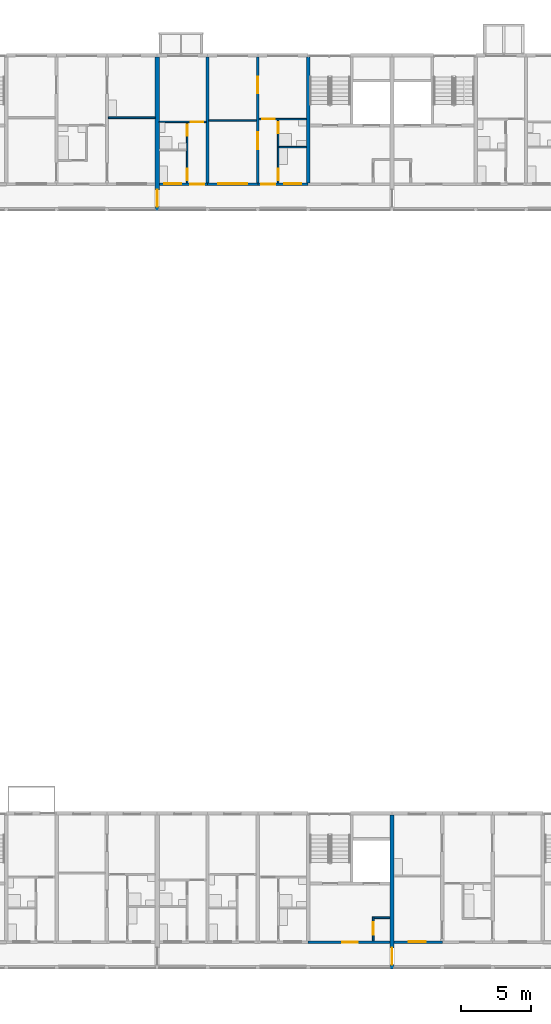
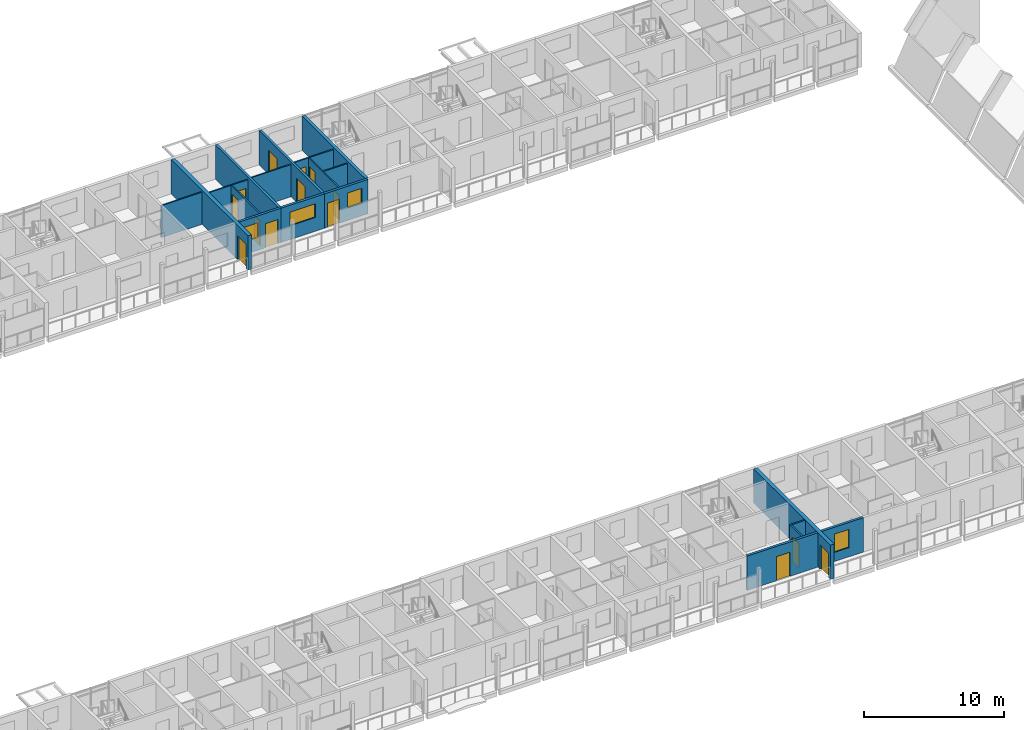
# One storey, part 38 of 100: 19 walls, 14 doors, 4 windows, 18 openings.
"""IFC4 building model written with IfcOpenShell, lengths in metres."""

import ifcopenshell
import ifcopenshell.guid

model = None  # the IFC model being written
_history = None  # IfcOwnerHistory: only IFC2X3 demands one
_inside = {}  # id of a spatial element -> (the spatial element, [elements in it])
_under = {}  # id of a project, library or spatial element -> (it, [spatial elements below it])
_declared = {}  # id of a project -> (the project, [libraries it declares])
_typed = {}  # id of a type object -> (the type object, [elements of that type])
_made_of = {}  # id of a material, layer set ... -> (it, [elements and type objects made of it])


def new_model(schema):
    """Start an empty IFC model of exactly this schema.

    Asked for "IFC4X3", IfcOpenShell would pick the latest addendum, in which some entities
    have other attributes; the version numbers below select the first issue.
    IFC2X3 requires an IfcOwnerHistory on every rooted entity: one is made here for all.
    """
    global model, _history
    if schema == "IFC4X3":
        model = ifcopenshell.file(schema_version=(4, 3, 0, 0))
    else:
        model = ifcopenshell.file(schema=schema)
    _inside.clear()
    _under.clear()
    _declared.clear()
    _typed.clear()
    _made_of.clear()
    _history = None
    if model.schema == "IFC2X3":
        org = make("IfcOrganization", Name="unknown")
        user = make(
            "IfcPersonAndOrganization",
            ThePerson=make("IfcPerson", FamilyName="unknown"),
            TheOrganization=org,
        )
        app = make(
            "IfcApplication",
            ApplicationDeveloper=org,
            Version="unknown",
            ApplicationFullName="unknown",
            ApplicationIdentifier="unknown",
        )
        _history = make(
            "IfcOwnerHistory",
            OwningUser=user,
            OwningApplication=app,
            ChangeAction="ADDED",
            CreationDate=0,
        )
    return model


def make(cls, **values):
    """One entity of the class cls with the attributes given. An attribute that is None is left unset."""
    return model.create_entity(
        cls, **{name: value for name, value in values.items() if value is not None}
    )


def rooted(cls, **values):
    """An entity with a GlobalId (a new one), such as an element, a storey or a relation."""
    return make(cls, GlobalId=ifcopenshell.guid.new(), OwnerHistory=_history, **values)


def si_unit(unit_type, name, prefix=None):
    """IfcSIUnit, for example si_unit("LENGTHUNIT", "METRE", prefix="MILLI")."""
    return make("IfcSIUnit", UnitType=unit_type, Prefix=prefix, Name=name)


def assignment(units):
    """IfcUnitAssignment: the units of a project."""
    return None if units is None else make("IfcUnitAssignment", Units=units)


def point(xyz):
    """IfcCartesianPoint."""
    return None if xyz is None else make("IfcCartesianPoint", Coordinates=xyz)


def direction(xyz):
    """IfcDirection."""
    return None if xyz is None else make("IfcDirection", DirectionRatios=xyz)


def frame(location, z_axis=None, x_axis=None):
    """IfcAxis2Placement3D, a coordinate frame: its origin and axes. An axis left out is left unset."""
    return make(
        "IfcAxis2Placement3D",
        Location=point(location),
        Axis=direction(z_axis),
        RefDirection=direction(x_axis),
    )


def frame_2d(location, x_axis=None):
    """IfcAxis2Placement2D, a coordinate frame in the plane: its origin and x axis."""
    return make(
        "IfcAxis2Placement2D", Location=point(location), RefDirection=direction(x_axis)
    )


def origin():
    """The frame at (0, 0, 0) with its axes left unset."""
    return frame((0.0, 0.0, 0.0))


def place(relative_to, where):
    """IfcLocalPlacement: puts the frame where relative to a parent placement (None: the world)."""
    return make(
        "IfcLocalPlacement", PlacementRelTo=relative_to, RelativePlacement=where
    )


def context(
    kind, dimensions, precision=None, world=None, true_north=None, identifier=None
):
    """IfcGeometricRepresentationContext, for example the 3D "Model" context."""
    return make(
        "IfcGeometricRepresentationContext",
        ContextIdentifier=identifier,
        ContextType=kind,
        CoordinateSpaceDimension=dimensions,
        Precision=precision,
        WorldCoordinateSystem=world,
        TrueNorth=true_north,
    )


def subcontext(parent, identifier, kind, view, scale=None):
    """IfcGeometricRepresentationSubContext, for example "Body" below "Model"."""
    return make(
        "IfcGeometricRepresentationSubContext",
        ContextIdentifier=identifier,
        ContextType=kind,
        ParentContext=parent,
        TargetScale=scale,
        TargetView=view,
    )


def project(units=None, contexts=None):
    """IfcProject with its units and contexts."""
    return rooted(
        "IfcProject",
        Name="project",
        RepresentationContexts=contexts,
        UnitsInContext=assignment(units),
    )


def spatial(cls, under=None, at=None, **own):
    """A site, building, storey or space (cls), placed at a placement, below another one or the project."""
    s = rooted(cls, ObjectPlacement=at, **own)
    if under is not None:
        _under.setdefault(under.id(), (under, []))[1].append(s)
    return s


def profile(cls, at=None, kind="AREA", **sizes):
    """A parametric profile (cls). Its sizes go by their IFC names, for example OverallWidth=200.0."""
    return make(cls, ProfileType=kind, Position=at, **sizes)


def rectangle(**sizes):
    """IfcRectangleProfileDef."""
    return profile("IfcRectangleProfileDef", **sizes)


def extrude(swept, where, along, depth):
    """IfcExtrudedAreaSolid: the profile swept, set in the frame where, extruded along a direction by depth."""
    return make(
        "IfcExtrudedAreaSolid",
        SweptArea=swept,
        Position=where,
        ExtrudedDirection=direction(along),
        Depth=depth,
    )


def shape(context_of_items, identifier, shape_type, items):
    """IfcShapeRepresentation: the items that make up one representation, for example the "Body"."""
    return make(
        "IfcShapeRepresentation",
        ContextOfItems=context_of_items,
        RepresentationIdentifier=identifier,
        RepresentationType=shape_type,
        Items=items,
    )


def material(Name=None, Category=None):
    """IfcMaterial."""
    return make("IfcMaterial", Name=Name, Category=Category)


def layer(
    of_material, thickness, ventilated=None, Name=None, Category=None, Priority=None
):
    """IfcMaterialLayer: one layer of a wall or slab, of a material (None: an air gap)."""
    return make(
        "IfcMaterialLayer",
        Material=of_material,
        LayerThickness=thickness,
        IsVentilated=ventilated,
        Name=Name,
        Category=Category,
        Priority=Priority,
    )


def layer_set(layers, Name=None):
    """IfcMaterialLayerSet."""
    return make("IfcMaterialLayerSet", MaterialLayers=layers, LayerSetName=Name)


def made_of(thing, what):
    """Note that an element or type object is made of a material, layer set ...; save() writes the relation."""
    if what is not None:
        _made_of.setdefault(what.id(), (what, []))[1].append(thing)
    return thing


def type_object(cls, material=None, **own):
    """A type object (cls), such as IfcWallType, which elements share."""
    return made_of(rooted(cls, **own), material)


def element(
    cls,
    number,
    at=None,
    inside=None,
    cuts=None,
    type_object=None,
    material=None,
    context=None,
    identifier="Body",
    shape_type=None,
    held_by="IfcProductDefinitionShape",
    body=None,
    shapes=None,
    **own,
):
    """One element of the class cls, such as IfcWall. Its Tag is "e" and its number.

    at: its placement. inside: the storey or other place that contains it. cuts: it is an
    opening in that element (IfcRelVoidsElement). A single representation is given by context,
    identifier, shape_type and body (its items); several are given by shapes. held_by: the class
    of the entity that holds the representations. save() writes the other relations.
    """
    e = rooted(cls, Tag="e%d" % number, ObjectPlacement=at, **own)
    if body is not None:
        shapes = [shape(context, identifier, shape_type, body)]
    if shapes is not None:
        e.Representation = make(held_by, Representations=shapes)
    if inside is not None:
        _inside.setdefault(inside.id(), (inside, []))[1].append(e)
    if cuts is not None:
        rooted(
            "IfcRelVoidsElement", RelatingBuildingElement=cuts, RelatedOpeningElement=e
        )
    if type_object is not None:
        _typed.setdefault(type_object.id(), (type_object, []))[1].append(e)
    return made_of(e, material)


def fill(opening, filler):
    """IfcRelFillsElement: the door or window that sits in an opening."""
    return rooted(
        "IfcRelFillsElement",
        RelatingOpeningElement=opening,
        RelatedBuildingElement=filler,
    )


def aggregate(whole, parts):
    """IfcRelAggregates: a whole, such as a stair, and the parts it consists of."""
    return rooted("IfcRelAggregates", RelatingObject=whole, RelatedObjects=parts)


def save(model, path):
    """Write the relations noted so far, then the file.

    IfcRelAggregates (storeys below a building ...), IfcRelContainedInSpatialStructure (elements
    in a storey), IfcRelDefinesByType, IfcRelAssociatesMaterial and IfcRelDeclares: one each for
    every whole, place, type object, material and project.
    """
    for whole, parts in _under.values():
        aggregate(whole, parts)
    for where, things in _inside.values():
        rooted(
            "IfcRelContainedInSpatialStructure",
            RelatedElements=things,
            RelatingStructure=where,
        )
    for kind, things in _typed.values():
        rooted("IfcRelDefinesByType", RelatedObjects=things, RelatingType=kind)
    for what, things in _made_of.values():
        rooted("IfcRelAssociatesMaterial", RelatedObjects=things, RelatingMaterial=what)
    for by, libraries in _declared.values():
        rooted("IfcRelDeclares", RelatingContext=by, RelatedDefinitions=libraries)
    model.write(path)


model = new_model("IFC4")

# Units and contexts
model_context = context("Model", 3, precision=1e-05, world=origin(), true_north=direction((0.0, 1.0)))
body_context = subcontext(model_context, "Body", "Model", "MODEL_VIEW")
ifc_project = project(units=[si_unit("LENGTHUNIT", "METRE"), si_unit("AREAUNIT", "SQUARE_METRE"), si_unit("VOLUMEUNIT", "CUBIC_METRE"), si_unit("PLANEANGLEUNIT", "RADIAN"), si_unit("MASSUNIT", "GRAM", prefix="KILO")], contexts=[model_context])

# Site, building, storey
site_placement = place(None, origin())
site = spatial("IfcSite", under=ifc_project, at=site_placement, CompositionType="ELEMENT")
building_placement = place(site_placement, origin())
building = spatial("IfcBuilding", under=site, at=building_placement, Name="Ridgestep Commons", CompositionType="ELEMENT")
storey_placement = place(building_placement, frame((0.0, 0.0, 9.0)))
storey = spatial("IfcBuildingStorey", under=building, at=storey_placement, Name="L03", CompositionType="ELEMENT", Elevation=9.0)

# Wall
ifc_material_1 = material(Name="Concrete C30/37", Category="concrete")
ifc_layer_1 = layer(ifc_material_1, 0.25)
ifc_layer_set_1 = layer_set([ifc_layer_1], Name="Core cross wall 250")
wall_type_1 = type_object("IfcWallType", Name="Core cross wall 250", PredefinedType="SHEAR", material=ifc_layer_set_1)
wall_1_placement = place(storey_placement, frame((73.199951171875, 68.0, 0.0), z_axis=(0.0, 0.0, 1.0), x_axis=(0.0, 1.0, 0.0)))
element("IfcWall", 1, at=wall_1_placement, inside=storey, type_object=wall_type_1, Name="Cross wall B-03-0732", PredefinedType="SHEAR", context=body_context, shape_type="SweptSolid", body=[
    extrude(rectangle(XDim=9.0, YDim=0.25, at=frame_2d((4.5, 0.0))), origin(), (0.0, 0.0, 1.0), 3.0),
])

# Wall, opening, door
ifc_material_2 = material(Name="Concrete C30/37", Category="concrete")
ifc_layer_2 = layer(ifc_material_2, 0.199951171875)
ifc_layer_set_2 = layer_set([ifc_layer_2], Name="Core south wall 200")
wall_type_2 = type_object("IfcWallType", Name="Core south wall 200", PredefinedType="SHEAR", material=ifc_layer_set_2)
wall_2_placement = place(storey_placement, frame((73.199951171875, 13.64990234375, 0.0), z_axis=(0.0, 0.0, 1.0), x_axis=(1.0, 0.0, 0.0)))
wall_2 = element("IfcWall", 2, at=wall_2_placement, inside=storey, type_object=wall_type_2, Name="Core south wall A4C L03", PredefinedType="SHEAR", context=body_context, shape_type="SweptSolid", body=[
    extrude(rectangle(XDim=5.85009765625, YDim=0.199951171875, at=frame_2d((2.925048828125, 0.0))), origin(), (0.0, 0.0, 1.0), 3.0),
])
opening_1_placement = place(wall_2_placement, frame((2.4375, 0.0, 0.0)))
opening_1 = element("IfcOpeningElement", 3, at=opening_1_placement, cuts=wall_2, Name="Opening A4C/03/1", PredefinedType="OPENING", context=body_context, shape_type="SweptSolid", body=[
    extrude(rectangle(XDim=1.10009765625, YDim=2.10009765625, at=frame_2d((0.550048828125, 1.050048828125))), frame((0.0, 0.10986328125, 0.0), z_axis=(0.0, -1.0, 0.0), x_axis=(1.0, 0.0, 0.0)), (0.0, 0.0, 1.0), 0.219970703125),
])
ifc_material_3 = material(Name="Steel fire door", Category="steel")
door_type_1 = type_object("IfcDoorType", Name="Lobby door 1100 x 2100 FD60", OperationType="NOTDEFINED", PredefinedType="DOOR", material=ifc_material_3)
door_1_placement = place(opening_1_placement, origin())
door_1 = element("IfcDoor", 4, at=door_1_placement, inside=storey, type_object=door_type_1, Name="Lobby door A4C/03/1", OperationType="SINGLE_SWING_LEFT", OverallHeight=2.10009765625, OverallWidth=1.10009765625, PredefinedType="DOOR", context=body_context, shape_type="SweptSolid", body=[
    extrude(rectangle(XDim=1.10009765625, YDim=2.10009765625, at=frame_2d((0.550048828125, 1.050048828125))), frame((0.0, 0.02490234375, 0.0), z_axis=(0.0, -1.0, 0.0), x_axis=(1.0, 0.0, 0.0)), (0.0, 0.0, 1.0), 0.050048828125),
])
fill(opening_1, door_1)

ifc_material_4 = material(Name="Concrete C30/37", Category="concrete")
ifc_layer_3 = layer(ifc_material_4, 0.1201171875)
ifc_layer_set_3 = layer_set([ifc_layer_3], Name="Core wall 120")
wall_type_3 = type_object("IfcWallType", Name="Core wall 120", PredefinedType="SHEAR", material=ifc_layer_set_3)
wall_3_placement = place(storey_placement, frame((77.860107421875, 13.75, 0.0), z_axis=(0.0, 0.0, 1.0), x_axis=(0.0, 1.0, 0.0)))
wall_3 = element("IfcWall", 5, at=wall_3_placement, inside=storey, type_object=wall_type_3, Name="Core riser w wall A4C L03", PredefinedType="SHEAR", context=body_context, shape_type="SweptSolid", body=[
    extrude(rectangle(XDim=1.719970703125, YDim=0.1201171875, at=frame_2d((0.85986328125, 0.0))), origin(), (0.0, 0.0, 1.0), 3.0),
])
opening_2_placement = place(wall_3_placement, frame((0.449951171875, 0.0, 0.0)))
opening_2 = element("IfcOpeningElement", 6, at=opening_2_placement, cuts=wall_3, Name="Opening A4C/03/4", PredefinedType="OPENING", context=body_context, shape_type="SweptSolid", body=[
    extrude(rectangle(XDim=0.89990234375, YDim=2.10009765625, at=frame_2d((0.449951171875, 1.050048828125))), frame((0.0, 0.070068359375, 0.0), z_axis=(0.0, -1.0, 0.0), x_axis=(1.0, 0.0, 0.0)), (0.0, 0.0, 1.0), 0.14013671875),
])
ifc_material_5 = material(Name="Steel fire door", Category="steel")
door_type_2 = type_object("IfcDoorType", Name="Riser door 900 x 2100 FD60", OperationType="NOTDEFINED", PredefinedType="DOOR", material=ifc_material_5)
door_2_placement = place(opening_2_placement, origin())
door_2 = element("IfcDoor", 7, at=door_2_placement, inside=storey, type_object=door_type_2, Name="Riser door A4C/03/4", OperationType="SINGLE_SWING_LEFT", OverallHeight=2.10009765625, OverallWidth=0.89990234375, PredefinedType="DOOR", context=body_context, shape_type="SweptSolid", body=[
    extrude(rectangle(XDim=0.89990234375, YDim=2.10009765625, at=frame_2d((0.449951171875, 1.050048828125))), frame((0.0, 0.02490234375, 0.0), z_axis=(0.0, -1.0, 0.0), x_axis=(1.0, 0.0, 0.0)), (0.0, 0.0, 1.0), 0.050048828125),
])
fill(opening_2, door_2)

# Walls
wall_4_placement = place(storey_placement, frame((77.919921875, 15.409912109375, 0.0), z_axis=(0.0, 0.0, 1.0), x_axis=(1.0, 0.0, 0.0)))
element("IfcWall", 8, at=wall_4_placement, inside=storey, type_object=wall_type_3, Name="Core riser n wall A4C L03", PredefinedType="SHEAR", context=body_context, shape_type="SweptSolid", body=[
    extrude(rectangle(XDim=1.130126953125, YDim=0.1201171875, at=frame_2d((0.56494140625, 0.0))), origin(), (0.0, 0.0, 1.0), 3.0),
])
ifc_material_6 = material(Name="Precast concrete C40/50", Category="concrete")
ifc_layer_4 = layer(ifc_material_6, 0.199951171875)
ifc_layer_set_4 = layer_set([ifc_layer_4], Name="Cross wall 200")
wall_type_4 = type_object("IfcWallType", Name="Cross wall 200", PredefinedType="SHEAR", material=ifc_layer_set_4)
wall_5_placement = place(storey_placement, frame((66.0, 68.0, 0.0), z_axis=(0.0, 0.0, 1.0), x_axis=(0.0, 1.0, 0.0)))
element("IfcWall", 9, at=wall_5_placement, inside=storey, type_object=wall_type_4, Name="Cross wall B-03-0660", PredefinedType="SHEAR", context=body_context, shape_type="SweptSolid", body=[
    extrude(rectangle(XDim=9.0, YDim=0.199951171875, at=frame_2d((4.5, 0.0))), origin(), (0.0, 0.0, 1.0), 3.0),
])

# Wall, openings, doors
wall_6_placement = place(storey_placement, frame((69.60009765625, 68.0, 0.0), z_axis=(0.0, 0.0, 1.0), x_axis=(0.0, 1.0, 0.0)))
wall_6 = element("IfcWall", 10, at=wall_6_placement, inside=storey, type_object=wall_type_4, Name="Cross wall B-03-0696", PredefinedType="SHEAR", context=body_context, shape_type="SweptSolid", body=[
    extrude(rectangle(XDim=9.0, YDim=0.199951171875, at=frame_2d((4.5, 0.0))), origin(), (0.0, 0.0, 1.0), 3.0),
])
opening_3_placement = place(wall_6_placement, frame((2.39990234375, 0.0, 0.0)))
opening_3 = element("IfcOpeningElement", 11, at=opening_3_placement, cuts=wall_6, Name="Opening B4-03b/5", PredefinedType="OPENING", context=body_context, shape_type="SweptSolid", body=[
    extrude(rectangle(XDim=1.199951171875, YDim=2.10009765625, at=frame_2d((0.60009765625, 1.050048828125))), frame((0.0, 0.10986328125, 0.0), z_axis=(0.0, -1.0, 0.0), x_axis=(1.0, 0.0, 0.0)), (0.0, 0.0, 1.0), 0.219970703125),
])
opening_4_placement = place(wall_6_placement, frame((6.39990234375, 0.0, 0.0)))
opening_4 = element("IfcOpeningElement", 12, at=opening_4_placement, cuts=wall_6, Name="Opening B4-03b/6", PredefinedType="OPENING", context=body_context, shape_type="SweptSolid", body=[
    extrude(rectangle(XDim=1.199951171875, YDim=2.10009765625, at=frame_2d((0.60009765625, 1.050048828125))), frame((0.0, 0.10986328125, 0.0), z_axis=(0.0, -1.0, 0.0), x_axis=(1.0, 0.0, 0.0)), (0.0, 0.0, 1.0), 0.219970703125),
])
ifc_material_7 = material(Name="Timber door leaf", Category="wood")
door_type_3 = type_object("IfcDoorType", Name="Double door 1200 x 2100", OperationType="DOUBLE_DOOR_SINGLE_SWING", PredefinedType="DOOR", material=ifc_material_7)
door_3_placement = place(opening_3_placement, origin())
door_3 = element("IfcDoor", 13, at=door_3_placement, inside=storey, type_object=door_type_3, Name="Double door B4-03b/5", OperationType="DOUBLE_DOOR_SINGLE_SWING", OverallHeight=2.10009765625, OverallWidth=1.199951171875, PredefinedType="DOOR", context=body_context, shape_type="SweptSolid", body=[
    extrude(rectangle(XDim=1.199951171875, YDim=2.10009765625, at=frame_2d((0.60009765625, 1.050048828125))), frame((0.0, 0.02490234375, 0.0), z_axis=(0.0, -1.0, 0.0), x_axis=(1.0, 0.0, 0.0)), (0.0, 0.0, 1.0), 0.050048828125),
])
fill(opening_3, door_3)
door_4_placement = place(opening_4_placement, origin())
door_4 = element("IfcDoor", 14, at=door_4_placement, inside=storey, type_object=door_type_3, Name="Double door B4-03b/6", OperationType="DOUBLE_DOOR_SINGLE_SWING", OverallHeight=2.10009765625, OverallWidth=1.199951171875, PredefinedType="DOOR", context=body_context, shape_type="SweptSolid", body=[
    extrude(rectangle(XDim=1.199951171875, YDim=2.10009765625, at=frame_2d((0.60009765625, 1.050048828125))), frame((0.0, 0.02490234375, 0.0), z_axis=(0.0, -1.0, 0.0), x_axis=(1.0, 0.0, 0.0)), (0.0, 0.0, 1.0), 0.050048828125),
])
fill(opening_4, door_4)

# Wall, opening, door
ifc_material_8 = material(Name="Precast concrete C40/50", Category="concrete")
ifc_layer_5 = layer(ifc_material_8, 0.300048828125)
ifc_layer_set_5 = layer_set([ifc_layer_5], Name="Division wall 300")
wall_type_5 = type_object("IfcWallType", Name="Division wall 300", PredefinedType="SHEAR", material=ifc_layer_set_5)
wall_7_placement = place(storey_placement, frame((79.199951171875, 11.75, 0.0), z_axis=(0.0, 0.0, 1.0), x_axis=(0.0, 1.0, 0.0)))
wall_7 = element("IfcWall", 15, at=wall_7_placement, inside=storey, type_object=wall_type_5, Name="Cross wall A-03-0792", PredefinedType="SHEAR", context=body_context, shape_type="SweptSolid", body=[
    extrude(rectangle(XDim=11.0, YDim=0.300048828125, at=frame_2d((5.5, 0.0))), origin(), (0.0, 0.0, 1.0), 3.0),
])
opening_5_placement = place(wall_7_placement, frame((0.300048828125, 0.0, 0.0)))
opening_5 = element("IfcOpeningElement", 16, at=opening_5_placement, cuts=wall_7, Name="Opening A/03/G0792", PredefinedType="OPENING", context=body_context, shape_type="SweptSolid", body=[
    extrude(rectangle(XDim=1.199951171875, YDim=2.10009765625, at=frame_2d((0.60009765625, 1.050048828125))), frame((0.0, 0.159912109375, 0.0), z_axis=(0.0, -1.0, 0.0), x_axis=(1.0, 0.0, 0.0)), (0.0, 0.0, 1.0), 0.320068359375),
])
ifc_material_9 = material(Name="Steel fire door", Category="steel")
door_type_4 = type_object("IfcDoorType", Name="Division fire door 1200 x 2100 EI 240", OperationType="DOUBLE_DOOR_SINGLE_SWING", PredefinedType="DOOR", material=ifc_material_9)
door_5_placement = place(opening_5_placement, origin())
door_5 = element("IfcDoor", 17, at=door_5_placement, inside=storey, type_object=door_type_4, Name="Division fire door A/03/G0792", OperationType="DOUBLE_DOOR_SINGLE_SWING", OverallHeight=2.10009765625, OverallWidth=1.199951171875, PredefinedType="DOOR", context=body_context, shape_type="SweptSolid", body=[
    extrude(rectangle(XDim=1.199951171875, YDim=2.10009765625, at=frame_2d((0.60009765625, 1.050048828125))), frame((0.0, 0.02490234375, 0.0), z_axis=(0.0, -1.0, 0.0), x_axis=(1.0, 0.0, 0.0)), (0.0, 0.0, 1.0), 0.050048828125),
])
fill(opening_5, door_5)

wall_8_placement = place(storey_placement, frame((62.39990234375, 66.0, 0.0), z_axis=(0.0, 0.0, 1.0), x_axis=(0.0, 1.0, 0.0)))
wall_8 = element("IfcWall", 18, at=wall_8_placement, inside=storey, type_object=wall_type_5, Name="Cross wall B-03-0624", PredefinedType="SHEAR", context=body_context, shape_type="SweptSolid", body=[
    extrude(rectangle(XDim=11.0, YDim=0.300048828125, at=frame_2d((5.5, 0.0))), origin(), (0.0, 0.0, 1.0), 3.0),
])
opening_6_placement = place(wall_8_placement, frame((0.300048828125, 0.0, 0.0)))
opening_6 = element("IfcOpeningElement", 19, at=opening_6_placement, cuts=wall_8, Name="Opening B/03/G0624", PredefinedType="OPENING", context=body_context, shape_type="SweptSolid", body=[
    extrude(rectangle(XDim=1.199951171875, YDim=2.10009765625, at=frame_2d((0.60009765625, 1.050048828125))), frame((0.0, 0.159912109375, 0.0), z_axis=(0.0, -1.0, 0.0), x_axis=(1.0, 0.0, 0.0)), (0.0, 0.0, 1.0), 0.320068359375),
])
door_6_placement = place(opening_6_placement, origin())
door_6 = element("IfcDoor", 20, at=door_6_placement, inside=storey, type_object=door_type_4, Name="Division fire door B/03/G0624", OperationType="DOUBLE_DOOR_SINGLE_SWING", OverallHeight=2.10009765625, OverallWidth=1.199951171875, PredefinedType="DOOR", context=body_context, shape_type="SweptSolid", body=[
    extrude(rectangle(XDim=1.199951171875, YDim=2.10009765625, at=frame_2d((0.60009765625, 1.050048828125))), frame((0.0, 0.02490234375, 0.0), z_axis=(0.0, -1.0, 0.0), x_axis=(1.0, 0.0, 0.0)), (0.0, 0.0, 1.0), 0.050048828125),
])
fill(opening_6, door_6)

# Wall
ifc_material_10 = material(Name="Common brick 110 mm", Category="masonry")
ifc_layer_6 = layer(ifc_material_10, 0.110107421875)
ifc_layer_set_6 = layer_set([ifc_layer_6], Name="Partition 110")
wall_type_6 = type_object("IfcWallType", Name="Partition 110", PredefinedType="PARTITIONING", material=ifc_layer_set_6)
wall_9_placement = place(storey_placement, frame((58.89990234375, 72.655029296875, 0.0), z_axis=(0.0, 0.0, 1.0), x_axis=(1.0, 0.0, 0.0)))
element("IfcWall", 21, at=wall_9_placement, inside=storey, type_object=wall_type_6, Name="Partition B3-03a", PredefinedType="PARTITIONING", context=body_context, shape_type="SweptSolid", body=[
    extrude(rectangle(XDim=3.35009765625, YDim=0.110107421875, at=frame_2d((1.675048828125, 0.0))), origin(), (0.0, 0.0, 1.0), 2.800048828125),
])

# Wall, openings, doors
wall_10_placement = place(storey_placement, frame((64.544921875, 68.0, 0.0), z_axis=(0.0, 0.0, 1.0), x_axis=(0.0, 1.0, 0.0)))
wall_10 = element("IfcWall", 22, at=wall_10_placement, inside=storey, type_object=wall_type_6, Name="Partition B4-03a", PredefinedType="PARTITIONING", context=body_context, shape_type="SweptSolid", body=[
    extrude(rectangle(XDim=4.300048828125, YDim=0.110107421875, at=frame_2d((2.14990234375, 0.0))), origin(), (0.0, 0.0, 1.0), 2.800048828125),
])
opening_7_placement = place(wall_10_placement, frame((0.199951171875, 0.0, 0.0)))
opening_7 = element("IfcOpeningElement", 23, at=opening_7_placement, cuts=wall_10, Name="Opening B4-03a/2", PredefinedType="OPENING", context=body_context, shape_type="SweptSolid", body=[
    extrude(rectangle(XDim=0.800048828125, YDim=2.10009765625, at=frame_2d((0.39990234375, 1.050048828125))), frame((0.0, 0.06494140625, 0.0), z_axis=(0.0, -1.0, 0.0), x_axis=(1.0, 0.0, 0.0)), (0.0, 0.0, 1.0), 0.130126953125),
])
opening_8_placement = place(wall_10_placement, frame((3.35009765625, 0.0, 0.0)))
opening_8 = element("IfcOpeningElement", 24, at=opening_8_placement, cuts=wall_10, Name="Opening B4-03a/3", PredefinedType="OPENING", context=body_context, shape_type="SweptSolid", body=[
    extrude(rectangle(XDim=0.800048828125, YDim=2.10009765625, at=frame_2d((0.39990234375, 1.050048828125))), frame((0.0, 0.06494140625, 0.0), z_axis=(0.0, -1.0, 0.0), x_axis=(1.0, 0.0, 0.0)), (0.0, 0.0, 1.0), 0.130126953125),
])
ifc_material_11 = material(Name="Timber door leaf", Category="wood")
door_type_5 = type_object("IfcDoorType", Name="Internal door 800 x 2100", OperationType="NOTDEFINED", PredefinedType="DOOR", material=ifc_material_11)
door_7_placement = place(opening_7_placement, origin())
door_7 = element("IfcDoor", 25, at=door_7_placement, inside=storey, type_object=door_type_5, Name="Internal door B4-03a/2", OperationType="SINGLE_SWING_LEFT", OverallHeight=2.10009765625, OverallWidth=0.800048828125, PredefinedType="DOOR", context=body_context, shape_type="SweptSolid", body=[
    extrude(rectangle(XDim=0.800048828125, YDim=2.10009765625, at=frame_2d((0.39990234375, 1.050048828125))), frame((0.0, 0.02490234375, 0.0), z_axis=(0.0, -1.0, 0.0), x_axis=(1.0, 0.0, 0.0)), (0.0, 0.0, 1.0), 0.050048828125),
])
fill(opening_7, door_7)
door_8_placement = place(opening_8_placement, origin())
door_8 = element("IfcDoor", 26, at=door_8_placement, inside=storey, type_object=door_type_5, Name="Internal door B4-03a/3", OperationType="SINGLE_SWING_RIGHT", OverallHeight=2.10009765625, OverallWidth=0.800048828125, PredefinedType="DOOR", context=body_context, shape_type="SweptSolid", body=[
    extrude(rectangle(XDim=0.800048828125, YDim=2.10009765625, at=frame_2d((0.39990234375, 1.050048828125))), frame((0.0, 0.02490234375, 0.0), z_axis=(0.0, -1.0, 0.0), x_axis=(1.0, 0.0, 0.0)), (0.0, 0.0, 1.0), 0.050048828125),
])
fill(opening_8, door_8)

# Wall, opening, door
wall_11_placement = place(storey_placement, frame((62.550048828125, 72.35498046875, 0.0), z_axis=(0.0, 0.0, 1.0), x_axis=(1.0, 0.0, 0.0)))
wall_11 = element("IfcWall", 27, at=wall_11_placement, inside=storey, type_object=wall_type_6, Name="Partition B4-03a", PredefinedType="PARTITIONING", context=body_context, shape_type="SweptSolid", body=[
    extrude(rectangle(XDim=3.349853515625, YDim=0.110107421875, at=frame_2d((1.6748046875, 0.0))), origin(), (0.0, 0.0, 1.0), 2.800048828125),
])
opening_9_placement = place(wall_11_placement, frame((2.25, 0.0, 0.0)))
opening_9 = element("IfcOpeningElement", 28, at=opening_9_placement, cuts=wall_11, Name="Opening B4-03a/4", PredefinedType="OPENING", context=body_context, shape_type="SweptSolid", body=[
    extrude(rectangle(XDim=0.89990234375, YDim=2.10009765625, at=frame_2d((0.449951171875, 1.050048828125))), frame((0.0, 0.06494140625, 0.0), z_axis=(0.0, -1.0, 0.0), x_axis=(1.0, 0.0, 0.0)), (0.0, 0.0, 1.0), 0.130126953125),
])
ifc_material_12 = material(Name="Timber door leaf", Category="wood")
door_type_6 = type_object("IfcDoorType", Name="Internal door 900 x 2100", OperationType="NOTDEFINED", PredefinedType="DOOR", material=ifc_material_12)
door_9_placement = place(opening_9_placement, origin())
door_9 = element("IfcDoor", 29, at=door_9_placement, inside=storey, type_object=door_type_6, Name="Internal door B4-03a/4", OperationType="SINGLE_SWING_LEFT", OverallHeight=2.10009765625, OverallWidth=0.89990234375, PredefinedType="DOOR", context=body_context, shape_type="SweptSolid", body=[
    extrude(rectangle(XDim=0.89990234375, YDim=2.10009765625, at=frame_2d((0.449951171875, 1.050048828125))), frame((0.0, 0.02490234375, 0.0), z_axis=(0.0, -1.0, 0.0), x_axis=(1.0, 0.0, 0.0)), (0.0, 0.0, 1.0), 0.050048828125),
])
fill(opening_9, door_9)

# Wall, openings, doors
wall_12_placement = place(storey_placement, frame((71.054931640625, 68.0, 0.0), z_axis=(0.0, 0.0, 1.0), x_axis=(0.0, 1.0, 0.0)))
wall_12 = element("IfcWall", 30, at=wall_12_placement, inside=storey, type_object=wall_type_6, Name="Partition B4-03b", PredefinedType="PARTITIONING", context=body_context, shape_type="SweptSolid", body=[
    extrude(rectangle(XDim=4.5, YDim=0.110107421875, at=frame_2d((2.25, 0.0))), origin(), (0.0, 0.0, 1.0), 2.800048828125),
])
opening_10_placement = place(wall_12_placement, frame((0.199951171875, 0.0, 0.0)))
opening_10 = element("IfcOpeningElement", 31, at=opening_10_placement, cuts=wall_12, Name="Opening B4-03b/2", PredefinedType="OPENING", context=body_context, shape_type="SweptSolid", body=[
    extrude(rectangle(XDim=0.800048828125, YDim=2.10009765625, at=frame_2d((0.39990234375, 1.050048828125))), frame((0.0, 0.06494140625, 0.0), z_axis=(0.0, -1.0, 0.0), x_axis=(1.0, 0.0, 0.0)), (0.0, 0.0, 1.0), 0.130126953125),
])
opening_11_placement = place(wall_12_placement, frame((3.550048828125, 0.0, 0.0)))
opening_11 = element("IfcOpeningElement", 32, at=opening_11_placement, cuts=wall_12, Name="Opening B4-03b/3", PredefinedType="OPENING", context=body_context, shape_type="SweptSolid", body=[
    extrude(rectangle(XDim=0.800048828125, YDim=2.10009765625, at=frame_2d((0.39990234375, 1.050048828125))), frame((0.0, 0.06494140625, 0.0), z_axis=(0.0, -1.0, 0.0), x_axis=(1.0, 0.0, 0.0)), (0.0, 0.0, 1.0), 0.130126953125),
])
door_10_placement = place(opening_10_placement, origin())
door_10 = element("IfcDoor", 33, at=door_10_placement, inside=storey, type_object=door_type_5, Name="Internal door B4-03b/2", OperationType="SINGLE_SWING_RIGHT", OverallHeight=2.10009765625, OverallWidth=0.800048828125, PredefinedType="DOOR", context=body_context, shape_type="SweptSolid", body=[
    extrude(rectangle(XDim=0.800048828125, YDim=2.10009765625, at=frame_2d((0.39990234375, 1.050048828125))), frame((0.0, 0.02490234375, 0.0), z_axis=(0.0, -1.0, 0.0), x_axis=(1.0, 0.0, 0.0)), (0.0, 0.0, 1.0), 0.050048828125),
])
fill(opening_10, door_10)
door_11_placement = place(opening_11_placement, origin())
door_11 = element("IfcDoor", 34, at=door_11_placement, inside=storey, type_object=door_type_5, Name="Internal door B4-03b/3", OperationType="SINGLE_SWING_LEFT", OverallHeight=2.10009765625, OverallWidth=0.800048828125, PredefinedType="DOOR", context=body_context, shape_type="SweptSolid", body=[
    extrude(rectangle(XDim=0.800048828125, YDim=2.10009765625, at=frame_2d((0.39990234375, 1.050048828125))), frame((0.0, 0.02490234375, 0.0), z_axis=(0.0, -1.0, 0.0), x_axis=(1.0, 0.0, 0.0)), (0.0, 0.0, 1.0), 0.050048828125),
])
fill(opening_11, door_11)

# Wall
wall_13_placement = place(storey_placement, frame((71.110107421875, 70.554931640625, 0.0), z_axis=(0.0, 0.0, 1.0), x_axis=(1.0, 0.0, 0.0)))
element("IfcWall", 35, at=wall_13_placement, inside=storey, type_object=wall_type_6, Name="Partition B4-03b", PredefinedType="PARTITIONING", context=body_context, shape_type="SweptSolid", body=[
    extrude(rectangle(XDim=1.96484375, YDim=0.110107421875, at=frame_2d((0.982421875, 0.0))), origin(), (0.0, 0.0, 1.0), 2.800048828125),
])

# Wall, opening, door
wall_14_placement = place(storey_placement, frame((69.699951171875, 72.554931640625, 0.0), z_axis=(0.0, 0.0, 1.0), x_axis=(1.0, 0.0, 0.0)))
wall_14 = element("IfcWall", 36, at=wall_14_placement, inside=storey, type_object=wall_type_6, Name="Partition B4-03b", PredefinedType="PARTITIONING", context=body_context, shape_type="SweptSolid", body=[
    extrude(rectangle(XDim=3.375, YDim=0.110107421875, at=frame_2d((1.6875, 0.0))), origin(), (0.0, 0.0, 1.0), 2.800048828125),
])
opening_12_placement = place(wall_14_placement, frame((0.199951171875, 0.0, 0.0)))
opening_12 = element("IfcOpeningElement", 37, at=opening_12_placement, cuts=wall_14, Name="Opening B4-03b/4", PredefinedType="OPENING", context=body_context, shape_type="SweptSolid", body=[
    extrude(rectangle(XDim=0.89990234375, YDim=2.10009765625, at=frame_2d((0.449951171875, 1.050048828125))), frame((0.0, 0.06494140625, 0.0), z_axis=(0.0, -1.0, 0.0), x_axis=(1.0, 0.0, 0.0)), (0.0, 0.0, 1.0), 0.130126953125),
])
door_12_placement = place(opening_12_placement, origin())
door_12 = element("IfcDoor", 38, at=door_12_placement, inside=storey, type_object=door_type_6, Name="Internal door B4-03b/4", OperationType="SINGLE_SWING_LEFT", OverallHeight=2.10009765625, OverallWidth=0.89990234375, PredefinedType="DOOR", context=body_context, shape_type="SweptSolid", body=[
    extrude(rectangle(XDim=0.89990234375, YDim=2.10009765625, at=frame_2d((0.449951171875, 1.050048828125))), frame((0.0, 0.02490234375, 0.0), z_axis=(0.0, -1.0, 0.0), x_axis=(1.0, 0.0, 0.0)), (0.0, 0.0, 1.0), 0.050048828125),
])
fill(opening_12, door_12)

# Wall
wall_15_placement = place(storey_placement, frame((66.10009765625, 72.455078125, 0.0), z_axis=(0.0, 0.0, 1.0), x_axis=(1.0, 0.0, 0.0)))
element("IfcWall", 39, at=wall_15_placement, inside=storey, type_object=wall_type_6, Name="Partition B4-03b", PredefinedType="PARTITIONING", context=body_context, shape_type="SweptSolid", body=[
    extrude(rectangle(XDim=3.39990234375, YDim=0.110107421875, at=frame_2d((1.699951171875, 0.0))), origin(), (0.0, 0.0, 1.0), 2.800048828125),
])

# Wall, opening, window
ifc_material_13 = material(Name="Precast concrete C40/50", Category="concrete")
ifc_layer_7 = layer(ifc_material_13, 0.199951171875)
ifc_layer_set_7 = layer_set([ifc_layer_7], Name="South facade panel 200")
wall_type_7 = type_object("IfcWallType", Name="South facade panel 200", PredefinedType="SOLIDWALL", material=ifc_layer_set_7)
wall_16_placement = place(storey_placement, frame((79.35009765625, 13.64990234375, 0.0), z_axis=(0.0, 0.0, 1.0), x_axis=(1.0, 0.0, 0.0)))
wall_16 = element("IfcWall", 40, at=wall_16_placement, inside=storey, type_object=wall_type_7, Name="South panel A5T1 L03", PredefinedType="SOLIDWALL", context=body_context, shape_type="SweptSolid", body=[
    extrude(rectangle(XDim=3.449951171875, YDim=0.199951171875, at=frame_2d((1.72509765625, 0.0))), origin(), (0.0, 0.0, 1.0), 3.0),
])
opening_13_placement = place(wall_16_placement, frame((1.0625, 0.0, 0.800048828125)))
opening_13 = element("IfcOpeningElement", 41, at=opening_13_placement, cuts=wall_16, Name="Opening W11", PredefinedType="OPENING", context=body_context, shape_type="SweptSolid", body=[
    extrude(rectangle(XDim=1.199951171875, YDim=1.60009765625, at=frame_2d((0.60009765625, 0.800048828125))), frame((0.0, 0.10986328125, 0.0), z_axis=(0.0, -1.0, 0.0), x_axis=(1.0, 0.0, 0.0)), (0.0, 0.0, 1.0), 0.219970703125),
])
ifc_material_14 = material(Name="Aluminium 6063-T6 and glass", Category="aluminium")
window_type_1 = type_object("IfcWindowType", Name="Flat window 1200 x 1600", PartitioningType="SINGLE_PANEL", PredefinedType="WINDOW", material=ifc_material_14)
window_1_placement = place(opening_13_placement, origin())
window_1 = element("IfcWindow", 42, at=window_1_placement, inside=storey, type_object=window_type_1, Name="Window A5-03a 1", OverallHeight=1.60009765625, OverallWidth=1.199951171875, PartitioningType="SINGLE_PANEL", PredefinedType="WINDOW", context=body_context, shape_type="SweptSolid", body=[
    extrude(rectangle(XDim=1.199951171875, YDim=1.60009765625, at=frame_2d((0.60009765625, 0.800048828125))), frame((0.0, 0.06005859375, 0.0), z_axis=(0.0, -1.0, 0.0), x_axis=(1.0, 0.0, 0.0)), (0.0, 0.0, 1.0), 0.06005859375),
])
fill(opening_13, window_1)

# Wall, openings, door, window
wall_17_placement = place(storey_placement, frame((62.550048828125, 67.89990234375, 0.0), z_axis=(0.0, 0.0, 1.0), x_axis=(1.0, 0.0, 0.0)))
wall_17 = element("IfcWall", 43, at=wall_17_placement, inside=storey, type_object=wall_type_7, Name="South panel B4T1 L03", PredefinedType="SOLIDWALL", context=body_context, shape_type="SweptSolid", body=[
    extrude(rectangle(XDim=3.449951171875, YDim=0.199951171875, at=frame_2d((1.72509765625, 0.0))), origin(), (0.0, 0.0, 1.0), 3.0),
])
opening_14_placement = place(wall_17_placement, frame((0.3701171875, 0.0, 1.10009765625)))
opening_14 = element("IfcOpeningElement", 44, at=opening_14_placement, cuts=wall_17, Name="Opening W08", PredefinedType="OPENING", context=body_context, shape_type="SweptSolid", body=[
    extrude(rectangle(XDim=1.199951171875, YDim=1.300048828125, at=frame_2d((0.60009765625, 0.64990234375))), frame((0.0, 0.10986328125, 0.0), z_axis=(0.0, -1.0, 0.0), x_axis=(1.0, 0.0, 0.0)), (0.0, 0.0, 1.0), 0.219970703125),
])
opening_15_placement = place(wall_17_placement, frame((2.199951171875, 0.0, 0.0)))
opening_15 = element("IfcOpeningElement", 45, at=opening_15_placement, cuts=wall_17, Name="Opening B4-03a/1", PredefinedType="OPENING", context=body_context, shape_type="SweptSolid", body=[
    extrude(rectangle(XDim=1.0, YDim=2.10009765625, at=frame_2d((0.5, 1.050048828125))), frame((0.0, 0.10986328125, 0.0), z_axis=(0.0, -1.0, 0.0), x_axis=(1.0, 0.0, 0.0)), (0.0, 0.0, 1.0), 0.219970703125),
])
ifc_material_15 = material(Name="Timber door leaf", Category="wood")
door_type_7 = type_object("IfcDoorType", Name="Flat entrance door 1000 x 2100 FD30S", OperationType="NOTDEFINED", PredefinedType="DOOR", material=ifc_material_15)
door_13_placement = place(opening_15_placement, origin())
door_13 = element("IfcDoor", 46, at=door_13_placement, inside=storey, type_object=door_type_7, Name="Flat entrance door B4-03a/1", OperationType="SINGLE_SWING_RIGHT", OverallHeight=2.10009765625, OverallWidth=1.0, PredefinedType="DOOR", context=body_context, shape_type="SweptSolid", body=[
    extrude(rectangle(XDim=1.0, YDim=2.10009765625, at=frame_2d((0.5, 1.050048828125))), frame((0.0, 0.02490234375, 0.0), z_axis=(0.0, -1.0, 0.0), x_axis=(1.0, 0.0, 0.0)), (0.0, 0.0, 1.0), 0.050048828125),
])
fill(opening_15, door_13)
ifc_material_16 = material(Name="Aluminium 6063-T6 and glass", Category="aluminium")
window_type_2 = type_object("IfcWindowType", Name="Flat window 1200 x 1300", PartitioningType="SINGLE_PANEL", PredefinedType="WINDOW", material=ifc_material_16)
window_2_placement = place(opening_14_placement, origin())
window_2 = element("IfcWindow", 47, at=window_2_placement, inside=storey, type_object=window_type_2, Name="Window B4-03a 1", OverallHeight=1.300048828125, OverallWidth=1.199951171875, PartitioningType="SINGLE_PANEL", PredefinedType="WINDOW", context=body_context, shape_type="SweptSolid", body=[
    extrude(rectangle(XDim=1.199951171875, YDim=1.300048828125, at=frame_2d((0.60009765625, 0.64990234375))), frame((0.0, 0.06005859375, 0.0), z_axis=(0.0, -1.0, 0.0), x_axis=(1.0, 0.0, 0.0)), (0.0, 0.0, 1.0), 0.06005859375),
])
fill(opening_14, window_2)

# Wall, opening, window
wall_18_placement = place(storey_placement, frame((66.0, 67.89990234375, 0.0), z_axis=(0.0, 0.0, 1.0), x_axis=(1.0, 0.0, 0.0)))
wall_18 = element("IfcWall", 48, at=wall_18_placement, inside=storey, type_object=wall_type_7, Name="South panel B4T2 L03", PredefinedType="SOLIDWALL", context=body_context, shape_type="SweptSolid", body=[
    extrude(rectangle(XDim=3.60009765625, YDim=0.199951171875, at=frame_2d((1.800048828125, 0.0))), origin(), (0.0, 0.0, 1.0), 3.0),
])
opening_16_placement = place(wall_18_placement, frame((0.75, 0.0, 1.199951171875)))
opening_16 = element("IfcOpeningElement", 49, at=opening_16_placement, cuts=wall_18, Name="Opening W22", PredefinedType="OPENING", context=body_context, shape_type="SweptSolid", body=[
    extrude(rectangle(XDim=2.10009765625, YDim=1.199951171875, at=frame_2d((1.050048828125, 0.60009765625))), frame((0.0, 0.10986328125, 0.0), z_axis=(0.0, -1.0, 0.0), x_axis=(1.0, 0.0, 0.0)), (0.0, 0.0, 1.0), 0.219970703125),
])
ifc_material_17 = material(Name="Aluminium 6063-T6 and glass", Category="aluminium")
window_type_3 = type_object("IfcWindowType", Name="Flat window 2100 x 1200", PartitioningType="DOUBLE_PANEL_VERTICAL", PredefinedType="WINDOW", material=ifc_material_17)
window_3_placement = place(opening_16_placement, origin())
window_3 = element("IfcWindow", 50, at=window_3_placement, inside=storey, type_object=window_type_3, Name="Window B4-03b 1", OverallHeight=1.199951171875, OverallWidth=2.10009765625, PartitioningType="SINGLE_PANEL", PredefinedType="WINDOW", context=body_context, shape_type="SweptSolid", body=[
    extrude(rectangle(XDim=2.10009765625, YDim=1.199951171875, at=frame_2d((1.050048828125, 0.60009765625))), frame((0.0, 0.06005859375, 0.0), z_axis=(0.0, -1.0, 0.0), x_axis=(1.0, 0.0, 0.0)), (0.0, 0.0, 1.0), 0.06005859375),
])
fill(opening_16, window_3)

# Wall, openings, door, window
wall_19_placement = place(storey_placement, frame((69.60009765625, 67.89990234375, 0.0), z_axis=(0.0, 0.0, 1.0), x_axis=(1.0, 0.0, 0.0)))
wall_19 = element("IfcWall", 51, at=wall_19_placement, inside=storey, type_object=wall_type_7, Name="South panel B4T3 L03", PredefinedType="SOLIDWALL", context=body_context, shape_type="SweptSolid", body=[
    extrude(rectangle(XDim=3.599853515625, YDim=0.199951171875, at=frame_2d((1.7998046875, 0.0))), origin(), (0.0, 0.0, 1.0), 3.0),
])
opening_17_placement = place(wall_19_placement, frame((1.892578125, 0.0, 1.10009765625)))
opening_17 = element("IfcOpeningElement", 52, at=opening_17_placement, cuts=wall_19, Name="Opening W08", PredefinedType="OPENING", context=body_context, shape_type="SweptSolid", body=[
    extrude(rectangle(XDim=1.199951171875, YDim=1.300048828125, at=frame_2d((0.60009765625, 0.64990234375))), frame((0.0, 0.10986328125, 0.0), z_axis=(0.0, -1.0, 0.0), x_axis=(1.0, 0.0, 0.0)), (0.0, 0.0, 1.0), 0.219970703125),
])
opening_18_placement = place(wall_19_placement, frame((0.25, 0.0, 0.0)))
opening_18 = element("IfcOpeningElement", 53, at=opening_18_placement, cuts=wall_19, Name="Opening B4-03b/1", PredefinedType="OPENING", context=body_context, shape_type="SweptSolid", body=[
    extrude(rectangle(XDim=1.0, YDim=2.10009765625, at=frame_2d((0.5, 1.050048828125))), frame((0.0, 0.10986328125, 0.0), z_axis=(0.0, -1.0, 0.0), x_axis=(1.0, 0.0, 0.0)), (0.0, 0.0, 1.0), 0.219970703125),
])
door_14_placement = place(opening_18_placement, origin())
door_14 = element("IfcDoor", 54, at=door_14_placement, inside=storey, type_object=door_type_7, Name="Flat entrance door B4-03b/1", OperationType="SINGLE_SWING_LEFT", OverallHeight=2.10009765625, OverallWidth=1.0, PredefinedType="DOOR", context=body_context, shape_type="SweptSolid", body=[
    extrude(rectangle(XDim=1.0, YDim=2.10009765625, at=frame_2d((0.5, 1.050048828125))), frame((0.0, 0.02490234375, 0.0), z_axis=(0.0, -1.0, 0.0), x_axis=(1.0, 0.0, 0.0)), (0.0, 0.0, 1.0), 0.050048828125),
])
fill(opening_18, door_14)
window_4_placement = place(opening_17_placement, origin())
window_4 = element("IfcWindow", 55, at=window_4_placement, inside=storey, type_object=window_type_2, Name="Window B4-03b 3", OverallHeight=1.300048828125, OverallWidth=1.199951171875, PartitioningType="SINGLE_PANEL", PredefinedType="WINDOW", context=body_context, shape_type="SweptSolid", body=[
    extrude(rectangle(XDim=1.199951171875, YDim=1.300048828125, at=frame_2d((0.60009765625, 0.64990234375))), frame((0.0, 0.06005859375, 0.0), z_axis=(0.0, -1.0, 0.0), x_axis=(1.0, 0.0, 0.0)), (0.0, 0.0, 1.0), 0.06005859375),
])
fill(opening_17, window_4)

save(model, "model.ifc")
